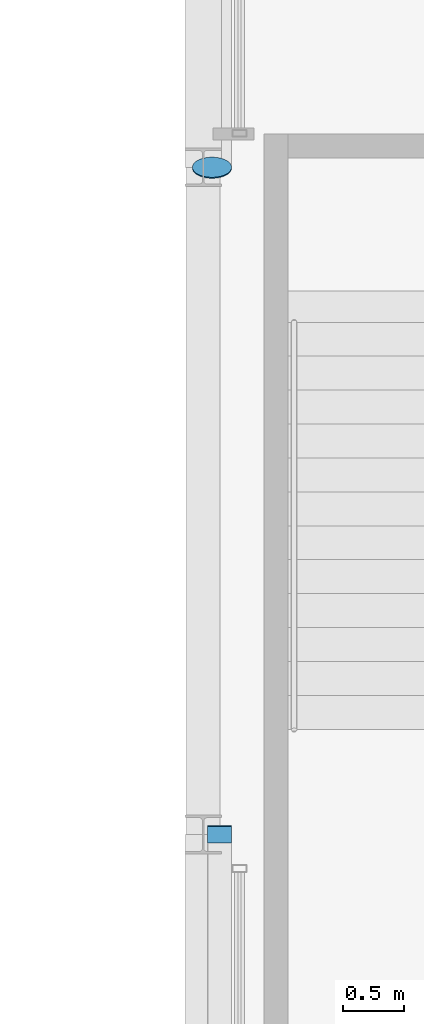
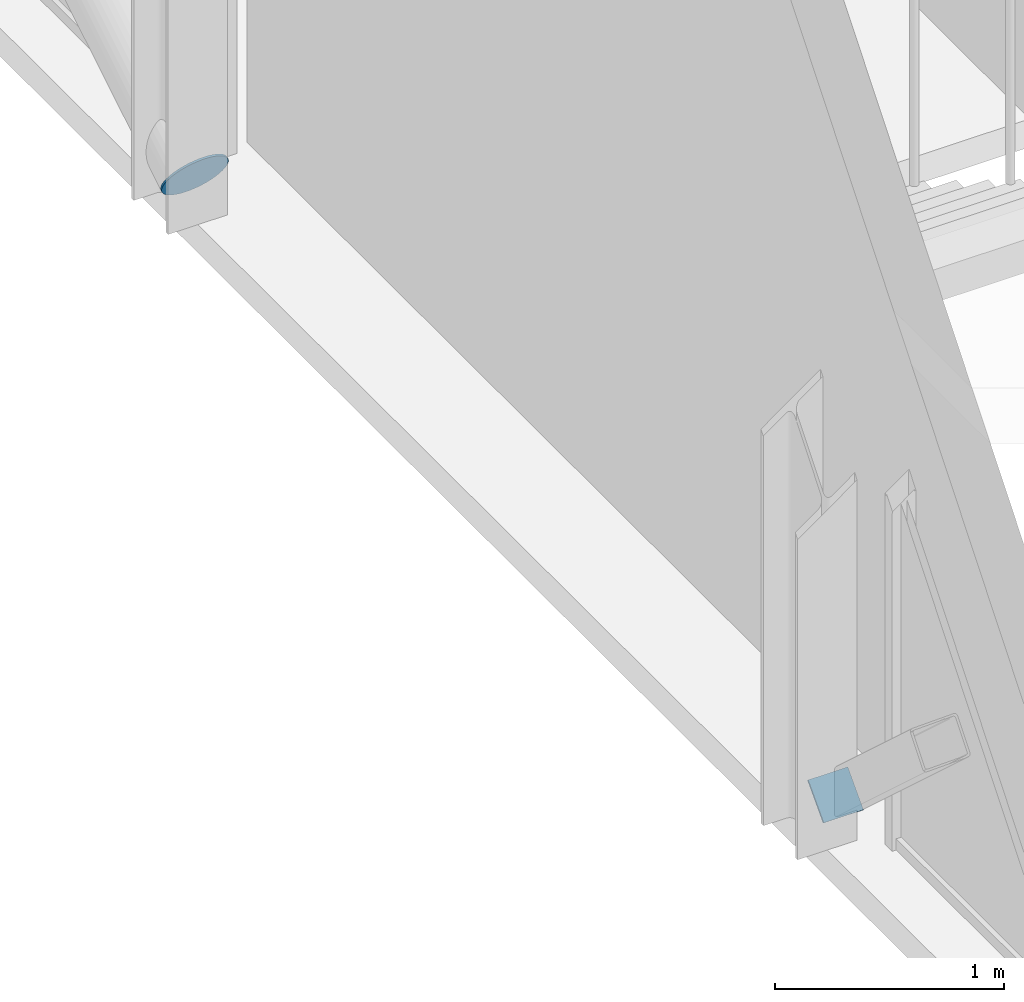
# One storey, part 85 of 111: 2 discrete accessories.
"""IFC4 building model written with IfcOpenShell, lengths in metres."""

from ifc_helpers import new_model, si_unit, direction, frame, origin, origin_2d, place, context, subcontext, project, spatial, rectangle, circle, extrude, material, material_profile, profile_set, type_object, element, save


model = new_model("IFC4")

# Units and contexts
model_context = context("Model", 3, precision=1e-05, world=origin(), true_north=direction((0.0, 1.0)))
body_context = subcontext(model_context, "Body", "Model", "MODEL_VIEW")
ifc_project = project(units=[si_unit("LENGTHUNIT", "METRE"), si_unit("AREAUNIT", "SQUARE_METRE"), si_unit("VOLUMEUNIT", "CUBIC_METRE"), si_unit("PLANEANGLEUNIT", "RADIAN"), si_unit("MASSUNIT", "GRAM", prefix="KILO")], contexts=[model_context])

# Site, building, storey
site_placement = place(None, origin())
site = spatial("IfcSite", under=ifc_project, at=site_placement, CompositionType="ELEMENT")
building_placement = place(site_placement, origin())
building = spatial("IfcBuilding", under=site, at=building_placement, Name="Kallimachos Central Library", CompositionType="ELEMENT")
storey_placement = place(building_placement, frame((0.0, 0.0, 14.39990234375)))
storey = spatial("IfcBuildingStorey", under=building, at=storey_placement, Name="L03", CompositionType="ELEMENT", Elevation=14.39990234375)

# Discrete accessories
ifc_material_1 = material(Name="Steel S355J2", Category="steel")
ifc_material_profile_1 = material_profile(ifc_material_1, rectangle(XDim=0.199951171875, YDim=0.199951171875, at=origin_2d()), Name="End cap plate 10, 200x200")
ifc_profile_set_1 = profile_set([ifc_material_profile_1], Name="Steel S355J2")
discrete_accessory_type_1 = type_object("IfcDiscreteAccessoryType", Name="End cap plate 10, 200x200", PredefinedType="BRACKET", material=ifc_profile_set_1)
discrete_accessory_1_placement = place(storey_placement, frame((65.635009765625, 105.00732421875, 0.143310546875), z_axis=(0.0, -0.731055268243, 0.68231825036), x_axis=(1.0, 0.0, 0.0)))
element("IfcDiscreteAccessory", 1, at=discrete_accessory_1_placement, inside=storey, type_object=discrete_accessory_type_1, Name="End cap plate", PredefinedType="BRACKET", context=body_context, shape_type="SweptSolid", body=[
    extrude(rectangle(XDim=0.199951171875, YDim=0.199951171875, at=origin_2d()), origin(), (0.0, 0.0, 1.0), 0.010009765625),
])
ifc_material_2 = material(Name="Steel S355J2", Category="steel")
ifc_material_profile_2 = material_profile(ifc_material_2, circle(Radius=0.161865234375, at=origin_2d()), Name="End cap plate 10, round 323.9")
ifc_profile_set_2 = profile_set([ifc_material_profile_2], Name="Steel S355J2")
discrete_accessory_type_2 = type_object("IfcDiscreteAccessoryType", Name="End cap plate 10, round 323.9", PredefinedType="BRACKET", material=ifc_profile_set_2)
discrete_accessory_2_placement = place(storey_placement, frame((65.572998046875, 110.491455078125, 0.14501953125), z_axis=(0.0, 0.857492925713, 0.514495755428), x_axis=(-1.0, 0.0, 0.0)))
element("IfcDiscreteAccessory", 2, at=discrete_accessory_2_placement, inside=storey, type_object=discrete_accessory_type_2, Name="End cap plate", PredefinedType="BRACKET", context=body_context, shape_type="SweptSolid", body=[
    extrude(circle(Radius=0.161865234375, at=origin_2d()), origin(), (0.0, 0.0, 1.0), 0.010009765625),
])

save(model, "model.ifc")
